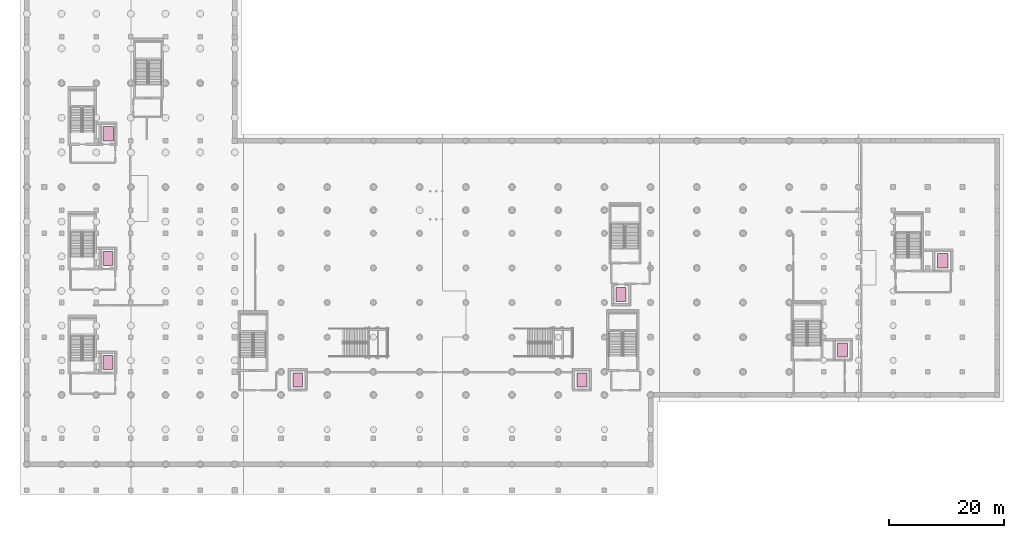
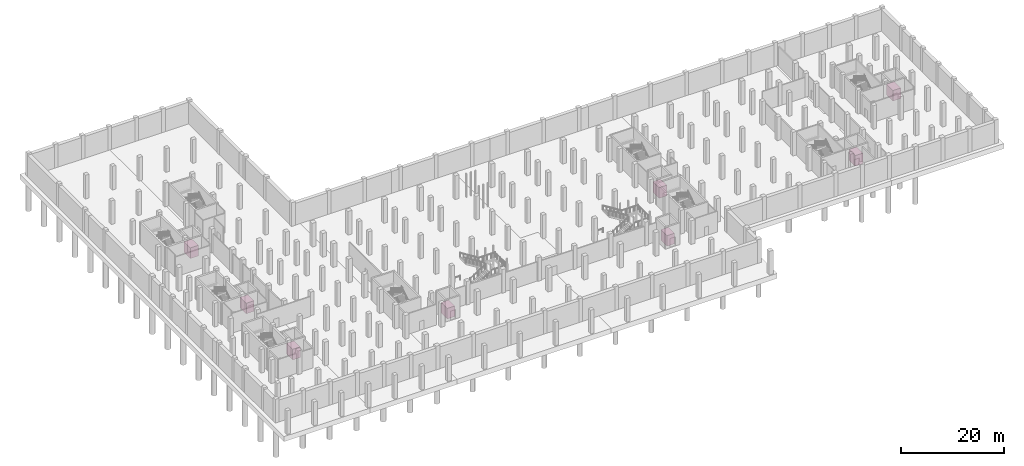
# One storey, part 26 of 26: 8 transport elements.
"""IFC4 building model written with IfcOpenShell, lengths in metres."""

from ifc_helpers import new_model, si_unit, direction, frame, origin, origin_2d, place, context, subcontext, project, spatial, rectangle, extrude, material, type_object, element, save


model = new_model("IFC4")

# Units and contexts
model_context = context("Model", 3, precision=1e-05, world=origin(), true_north=direction((0.0, 1.0)))
body_context = subcontext(model_context, "Body", "Model", "MODEL_VIEW")
ifc_project = project(units=[si_unit("LENGTHUNIT", "METRE"), si_unit("AREAUNIT", "SQUARE_METRE"), si_unit("VOLUMEUNIT", "CUBIC_METRE"), si_unit("PLANEANGLEUNIT", "RADIAN"), si_unit("MASSUNIT", "GRAM", prefix="KILO")], contexts=[model_context])

# Site, building, storey
site_placement = place(None, origin())
site = spatial("IfcSite", under=ifc_project, at=site_placement, CompositionType="ELEMENT")
building_placement = place(site_placement, origin())
building = spatial("IfcBuilding", under=site, at=building_placement, Name="Verrall Gate Interchange", CompositionType="ELEMENT")
storey_placement = place(building_placement, frame((0.0, 0.0, -10.39990234375)))
storey = spatial("IfcBuildingStorey", under=building, at=storey_placement, Name="B2", CompositionType="ELEMENT", Elevation=-10.39990234375)

# Transport elements
ifc_material_1 = material(Name="Stainless-Steel Elevator Landing Sliding Door Assembly", Category="steel")
transport_element_type_1 = type_object("IfcTransportElementType", Name="ELV-01 Stretcher Passenger Elevator 2000kg", PredefinedType="ELEVATOR", material=ifc_material_1)
for number, where, z_axis, x_axis, name in (
    (1, (14.050048828125, 17.60009765625, 0.0), (0.0, 0.0, 1.0), (1.0, 0.0, 0.0), "Firefighting Elevator EL-01"),
    (2, (14.050048828125, 35.60009765625, 0.0), (0.0, 0.0, 1.0), (1.0, 0.0, 0.0), "Firefighting Elevator EL-02"),
    (3, (46.89990234375, 14.60009765625, 0.0), (0.0, 0.0, 1.0), (1.0, 0.0, 0.0), "Passenger Stretcher Elevator EL-03"),
    (4, (96.10009765625, 14.60009765625, 0.0), (0.0, 0.0, 1.0), (1.0, 0.0, 0.0), "Passenger Stretcher Elevator EL-04"),
    (5, (102.89990234375, 29.39990234375, 0.0), (0.0, 0.0, 1.0), (1.0, 0.0, 0.0), "Passenger Stretcher Elevator EL-05"),
    (6, (141.239990234375, 19.800048828125, 0.0), (0.0, 0.0, 1.0), (1.0, 0.0, 0.0), "Passenger Stretcher Elevator EL-06"),
):
    element("IfcTransportElement", number, at=place(storey_placement, frame(where, z_axis=z_axis, x_axis=x_axis)), inside=storey, type_object=transport_element_type_1, Name=name, PredefinedType="ELEVATOR", context=body_context, shape_type="SweptSolid", body=[
        extrude(rectangle(XDim=1.699951171875, YDim=2.39990234375, at=origin_2d()), origin(), (0.0, 0.0, 1.0), 2.5),
    ])
ifc_material_2 = material(Name="Stainless-Steel Elevator Landing Sliding Door Assembly", Category="steel")
transport_element_type_2 = type_object("IfcTransportElementType", Name="ELV-02 Freight and Cycle Cargo Elevator 2500kg", PredefinedType="ELEVATOR", material=ifc_material_2)
for number, where, z_axis, x_axis, name in (
    (7, (14.050048828125, 57.25, 0.0), (0.0, 0.0, 1.0), (1.0, 0.0, 0.0), "Passenger Stretcher Elevator EL-08"),
    (8, (158.60009765625, 35.25, 0.0), (0.0, 0.0, 1.0), (1.0, 0.0, 0.0), "Passenger Stretcher Elevator EL-07"),
):
    element("IfcTransportElement", number, at=place(storey_placement, frame(where, z_axis=z_axis, x_axis=x_axis)), inside=storey, type_object=transport_element_type_2, Name=name, PredefinedType="ELEVATOR", context=body_context, shape_type="SweptSolid", body=[
        extrude(rectangle(XDim=1.800048828125, YDim=2.5, at=origin_2d()), origin(), (0.0, 0.0, 1.0), 2.5),
    ])

save(model, "model.ifc")
